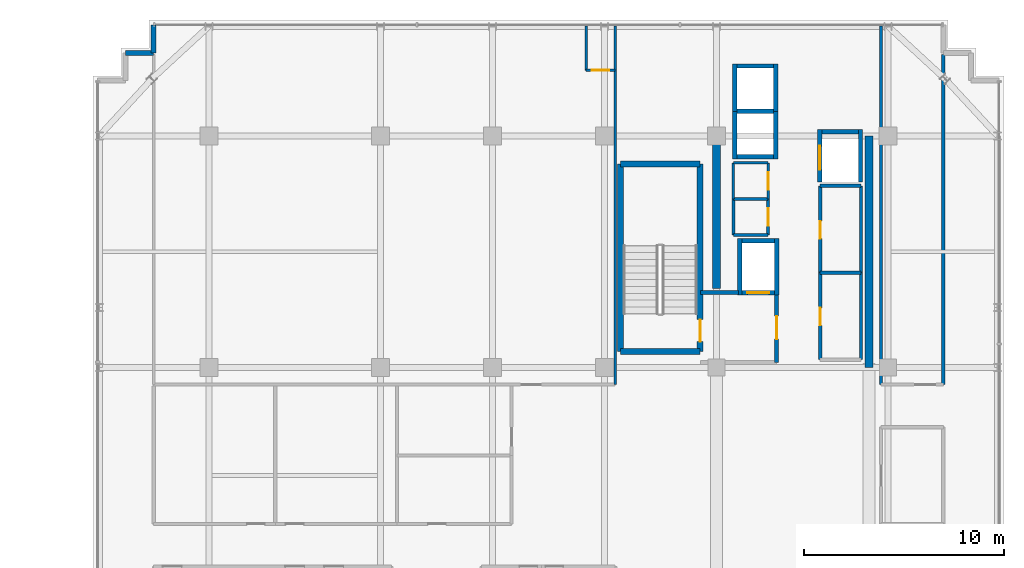
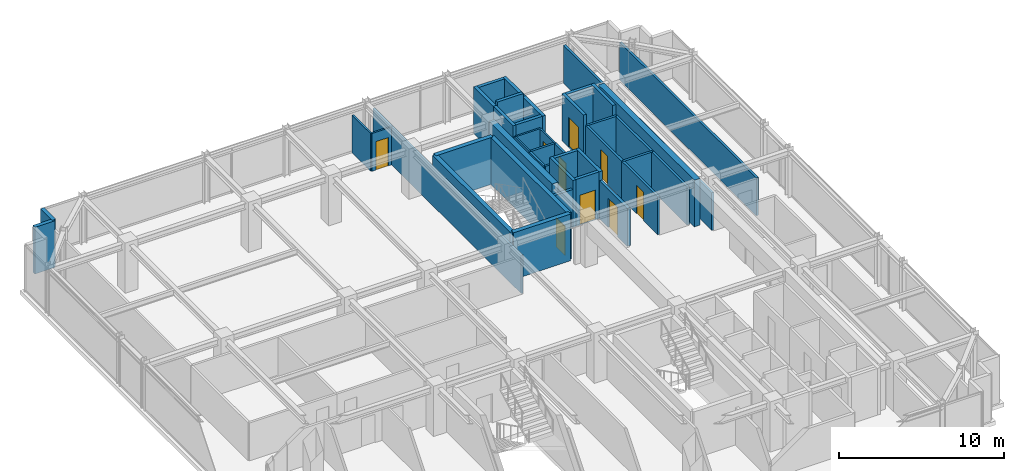
# One storey, part 27 of 31: 42 walls, 9 doors, 9 openings.
"""IFC4 building model written with IfcOpenShell, lengths in metres."""

import ifcopenshell
import ifcopenshell.guid

model = None  # the IFC model being written
_history = None  # IfcOwnerHistory: only IFC2X3 demands one
_inside = {}  # id of a spatial element -> (the spatial element, [elements in it])
_under = {}  # id of a project, library or spatial element -> (it, [spatial elements below it])
_declared = {}  # id of a project -> (the project, [libraries it declares])
_typed = {}  # id of a type object -> (the type object, [elements of that type])
_made_of = {}  # id of a material, layer set ... -> (it, [elements and type objects made of it])


def new_model(schema):
    """Start an empty IFC model of exactly this schema.

    Asked for "IFC4X3", IfcOpenShell would pick the latest addendum, in which some entities
    have other attributes; the version numbers below select the first issue.
    IFC2X3 requires an IfcOwnerHistory on every rooted entity: one is made here for all.
    """
    global model, _history
    if schema == "IFC4X3":
        model = ifcopenshell.file(schema_version=(4, 3, 0, 0))
    else:
        model = ifcopenshell.file(schema=schema)
    _inside.clear()
    _under.clear()
    _declared.clear()
    _typed.clear()
    _made_of.clear()
    _history = None
    if model.schema == "IFC2X3":
        org = make("IfcOrganization", Name="unknown")
        user = make(
            "IfcPersonAndOrganization",
            ThePerson=make("IfcPerson", FamilyName="unknown"),
            TheOrganization=org,
        )
        app = make(
            "IfcApplication",
            ApplicationDeveloper=org,
            Version="unknown",
            ApplicationFullName="unknown",
            ApplicationIdentifier="unknown",
        )
        _history = make(
            "IfcOwnerHistory",
            OwningUser=user,
            OwningApplication=app,
            ChangeAction="ADDED",
            CreationDate=0,
        )
    return model


def make(cls, **values):
    """One entity of the class cls with the attributes given. An attribute that is None is left unset."""
    return model.create_entity(
        cls, **{name: value for name, value in values.items() if value is not None}
    )


def rooted(cls, **values):
    """An entity with a GlobalId (a new one), such as an element, a storey or a relation."""
    return make(cls, GlobalId=ifcopenshell.guid.new(), OwnerHistory=_history, **values)


def si_unit(unit_type, name, prefix=None):
    """IfcSIUnit, for example si_unit("LENGTHUNIT", "METRE", prefix="MILLI")."""
    return make("IfcSIUnit", UnitType=unit_type, Prefix=prefix, Name=name)


def assignment(units):
    """IfcUnitAssignment: the units of a project."""
    return None if units is None else make("IfcUnitAssignment", Units=units)


def point(xyz):
    """IfcCartesianPoint."""
    return None if xyz is None else make("IfcCartesianPoint", Coordinates=xyz)


def direction(xyz):
    """IfcDirection."""
    return None if xyz is None else make("IfcDirection", DirectionRatios=xyz)


def frame(location, z_axis=None, x_axis=None):
    """IfcAxis2Placement3D, a coordinate frame: its origin and axes. An axis left out is left unset."""
    return make(
        "IfcAxis2Placement3D",
        Location=point(location),
        Axis=direction(z_axis),
        RefDirection=direction(x_axis),
    )


def frame_2d(location, x_axis=None):
    """IfcAxis2Placement2D, a coordinate frame in the plane: its origin and x axis."""
    return make(
        "IfcAxis2Placement2D", Location=point(location), RefDirection=direction(x_axis)
    )


def origin():
    """The frame at (0, 0, 0) with its axes left unset."""
    return frame((0.0, 0.0, 0.0))


def place(relative_to, where):
    """IfcLocalPlacement: puts the frame where relative to a parent placement (None: the world)."""
    return make(
        "IfcLocalPlacement", PlacementRelTo=relative_to, RelativePlacement=where
    )


def context(
    kind, dimensions, precision=None, world=None, true_north=None, identifier=None
):
    """IfcGeometricRepresentationContext, for example the 3D "Model" context."""
    return make(
        "IfcGeometricRepresentationContext",
        ContextIdentifier=identifier,
        ContextType=kind,
        CoordinateSpaceDimension=dimensions,
        Precision=precision,
        WorldCoordinateSystem=world,
        TrueNorth=true_north,
    )


def subcontext(parent, identifier, kind, view, scale=None):
    """IfcGeometricRepresentationSubContext, for example "Body" below "Model"."""
    return make(
        "IfcGeometricRepresentationSubContext",
        ContextIdentifier=identifier,
        ContextType=kind,
        ParentContext=parent,
        TargetScale=scale,
        TargetView=view,
    )


def project(units=None, contexts=None):
    """IfcProject with its units and contexts."""
    return rooted(
        "IfcProject",
        Name="project",
        RepresentationContexts=contexts,
        UnitsInContext=assignment(units),
    )


def spatial(cls, under=None, at=None, **own):
    """A site, building, storey or space (cls), placed at a placement, below another one or the project."""
    s = rooted(cls, ObjectPlacement=at, **own)
    if under is not None:
        _under.setdefault(under.id(), (under, []))[1].append(s)
    return s


def profile(cls, at=None, kind="AREA", **sizes):
    """A parametric profile (cls). Its sizes go by their IFC names, for example OverallWidth=200.0."""
    return make(cls, ProfileType=kind, Position=at, **sizes)


def rectangle(**sizes):
    """IfcRectangleProfileDef."""
    return profile("IfcRectangleProfileDef", **sizes)


def extrude(swept, where, along, depth):
    """IfcExtrudedAreaSolid: the profile swept, set in the frame where, extruded along a direction by depth."""
    return make(
        "IfcExtrudedAreaSolid",
        SweptArea=swept,
        Position=where,
        ExtrudedDirection=direction(along),
        Depth=depth,
    )


def shape(context_of_items, identifier, shape_type, items):
    """IfcShapeRepresentation: the items that make up one representation, for example the "Body"."""
    return make(
        "IfcShapeRepresentation",
        ContextOfItems=context_of_items,
        RepresentationIdentifier=identifier,
        RepresentationType=shape_type,
        Items=items,
    )


def source(mapping_origin, context_of_items, identifier, shape_type, items):
    """IfcRepresentationMap: a shape defined once, which mapped items show again and again."""
    return make(
        "IfcRepresentationMap",
        MappingOrigin=mapping_origin,
        MappedRepresentation=shape(context_of_items, identifier, shape_type, items),
    )


def transform(
    local_origin,
    x_axis=None,
    y_axis=None,
    z_axis=None,
    scale=None,
    scale2=None,
    scale3=None,
    uniform=True,
):
    """IfcCartesianTransformationOperator3D, or its non-uniform kind. x_axis, y_axis, z_axis: its Axis1, 2, 3."""
    if uniform:
        return make(
            "IfcCartesianTransformationOperator3D",
            Axis1=direction(x_axis),
            Axis2=direction(y_axis),
            LocalOrigin=point(local_origin),
            Scale=scale,
            Axis3=direction(z_axis),
        )
    return make(
        "IfcCartesianTransformationOperator3DnonUniform",
        Axis1=direction(x_axis),
        Axis2=direction(y_axis),
        LocalOrigin=point(local_origin),
        Scale=scale,
        Axis3=direction(z_axis),
        Scale2=scale2,
        Scale3=scale3,
    )


def mapped(mapping_source, mapping_target):
    """IfcMappedItem: shows the shape of a source again, moved by a transform."""
    return make(
        "IfcMappedItem", MappingSource=mapping_source, MappingTarget=mapping_target
    )


def material(Name=None, Category=None):
    """IfcMaterial."""
    return make("IfcMaterial", Name=Name, Category=Category)


def layer(
    of_material, thickness, ventilated=None, Name=None, Category=None, Priority=None
):
    """IfcMaterialLayer: one layer of a wall or slab, of a material (None: an air gap)."""
    return make(
        "IfcMaterialLayer",
        Material=of_material,
        LayerThickness=thickness,
        IsVentilated=ventilated,
        Name=Name,
        Category=Category,
        Priority=Priority,
    )


def layer_set(layers, Name=None):
    """IfcMaterialLayerSet."""
    return make("IfcMaterialLayerSet", MaterialLayers=layers, LayerSetName=Name)


def made_of(thing, what):
    """Note that an element or type object is made of a material, layer set ...; save() writes the relation."""
    if what is not None:
        _made_of.setdefault(what.id(), (what, []))[1].append(thing)
    return thing


def type_object(cls, material=None, **own):
    """A type object (cls), such as IfcWallType, which elements share."""
    return made_of(rooted(cls, **own), material)


def element(
    cls,
    number,
    at=None,
    inside=None,
    cuts=None,
    type_object=None,
    material=None,
    context=None,
    identifier="Body",
    shape_type=None,
    held_by="IfcProductDefinitionShape",
    body=None,
    shapes=None,
    **own,
):
    """One element of the class cls, such as IfcWall. Its Tag is "e" and its number.

    at: its placement. inside: the storey or other place that contains it. cuts: it is an
    opening in that element (IfcRelVoidsElement). A single representation is given by context,
    identifier, shape_type and body (its items); several are given by shapes. held_by: the class
    of the entity that holds the representations. save() writes the other relations.
    """
    e = rooted(cls, Tag="e%d" % number, ObjectPlacement=at, **own)
    if body is not None:
        shapes = [shape(context, identifier, shape_type, body)]
    if shapes is not None:
        e.Representation = make(held_by, Representations=shapes)
    if inside is not None:
        _inside.setdefault(inside.id(), (inside, []))[1].append(e)
    if cuts is not None:
        rooted(
            "IfcRelVoidsElement", RelatingBuildingElement=cuts, RelatedOpeningElement=e
        )
    if type_object is not None:
        _typed.setdefault(type_object.id(), (type_object, []))[1].append(e)
    return made_of(e, material)


def fill(opening, filler):
    """IfcRelFillsElement: the door or window that sits in an opening."""
    return rooted(
        "IfcRelFillsElement",
        RelatingOpeningElement=opening,
        RelatedBuildingElement=filler,
    )


def aggregate(whole, parts):
    """IfcRelAggregates: a whole, such as a stair, and the parts it consists of."""
    return rooted("IfcRelAggregates", RelatingObject=whole, RelatedObjects=parts)


def save(model, path):
    """Write the relations noted so far, then the file.

    IfcRelAggregates (storeys below a building ...), IfcRelContainedInSpatialStructure (elements
    in a storey), IfcRelDefinesByType, IfcRelAssociatesMaterial and IfcRelDeclares: one each for
    every whole, place, type object, material and project.
    """
    for whole, parts in _under.values():
        aggregate(whole, parts)
    for where, things in _inside.values():
        rooted(
            "IfcRelContainedInSpatialStructure",
            RelatedElements=things,
            RelatingStructure=where,
        )
    for kind, things in _typed.values():
        rooted("IfcRelDefinesByType", RelatedObjects=things, RelatingType=kind)
    for what, things in _made_of.values():
        rooted("IfcRelAssociatesMaterial", RelatedObjects=things, RelatingMaterial=what)
    for by, libraries in _declared.values():
        rooted("IfcRelDeclares", RelatingContext=by, RelatedDefinitions=libraries)
    model.write(path)


model = new_model("IFC4")

# Units and contexts
model_context = context("Model", 3, precision=1e-05, world=origin(), true_north=direction((0.0, 1.0)))
body_context = subcontext(model_context, "Body", "Model", "MODEL_VIEW")
ifc_project = project(units=[si_unit("LENGTHUNIT", "METRE"), si_unit("AREAUNIT", "SQUARE_METRE"), si_unit("VOLUMEUNIT", "CUBIC_METRE"), si_unit("PLANEANGLEUNIT", "RADIAN"), si_unit("MASSUNIT", "GRAM", prefix="KILO")], contexts=[model_context])

# Site, building, storey
site_placement = place(None, origin())
site = spatial("IfcSite", under=ifc_project, at=site_placement, CompositionType="ELEMENT")
building_placement = place(site_placement, origin())
building = spatial("IfcBuilding", under=site, at=building_placement, Name="Nahalor Promenade Grand Hotel", CompositionType="ELEMENT")
storey_placement = place(building_placement, frame((0.0, 0.0, 277.550048828125)))
storey = spatial("IfcBuildingStorey", under=building, at=storey_placement, Name="L71", CompositionType="ELEMENT", Elevation=277.550048828125)

# Walls
ifc_material_1 = material(Name="Concrete B-50 (C40/50)", Category="concrete")
ifc_layer_1 = layer(ifc_material_1, 0.39990234375)
ifc_layer_set_1 = layer_set([ifc_layer_1], Name="Concrete B-50 (C40/50)")
wall_type_1 = type_object("IfcWallType", Name="Wall-CoreShear-400", PredefinedType="SHEAR", material=ifc_layer_set_1)
shared_shape_1 = source(origin(), body_context, "Body", "SweptSolid", [
    extrude(rectangle(XDim=7.64990234375, YDim=0.39990234375, at=frame_2d((3.824951171875, 0.0))), origin(), (0.0, 0.0, 1.0), 3.449951171875),
])
wall_1_placement = place(storey_placement, frame((8.39990234375, 9.35009765625, 0.0), z_axis=(0.0, 0.0, 1.0), x_axis=(0.0, 1.0, 0.0)))
element("IfcWall", 1, at=wall_1_placement, inside=storey, type_object=wall_type_1, Name="CWALL-L71-NW", PredefinedType="SHEAR", context=body_context, shape_type="MappedRepresentation", body=[
    mapped(shared_shape_1, transform((0.0, 0.0, 0.0), scale=1.0)),
])
shared_shape_2 = source(origin(), body_context, "Body", "SweptSolid", [
    extrude(rectangle(XDim=11.60009765625, YDim=0.39990234375, at=frame_2d((5.800048828125, 0.0))), origin(), (0.0, 0.0, 1.0), 3.449951171875),
])
wall_2_placement = place(storey_placement, frame((16.050048828125, 5.39990234375, 0.0), z_axis=(0.0, 0.0, 1.0), x_axis=(0.0, 1.0, 0.0)))
element("IfcWall", 2, at=wall_2_placement, inside=storey, type_object=wall_type_1, Name="CWALL-L71-NE", PredefinedType="SHEAR", context=body_context, shape_type="MappedRepresentation", body=[
    mapped(shared_shape_2, transform((0.0, 0.0, 0.0), scale=1.0)),
])
ifc_layer_2 = layer(ifc_material_1, 0.300048828125)
ifc_layer_set_2 = layer_set([ifc_layer_2], Name="Concrete B-50 (C40/50)")
wall_type_2 = type_object("IfcWallType", Name="Wall-ShaftShear-300", PredefinedType="SHEAR", material=ifc_layer_set_2)
shared_shape_3 = source(origin(), body_context, "Body", "SweptSolid", [
    extrude(rectangle(XDim=3.97998046875, YDim=0.300048828125, at=frame_2d((1.989990234375, 0.0))), origin(), (0.0, 0.0, 1.0), 3.449951171875),
])
for number, where, z_axis, x_axis, name in (
    (3, (3.610107421875, 6.2099609375, 0.0), (0.0, 0.0, 1.0), (1.0, 0.0, 0.0), "L71 Exit Stair ST1 Shaft Wall S"),
    (4, (3.610107421875, 15.590087890625, 0.0), (0.0, 0.0, 1.0), (1.0, 0.0, 0.0), "L71 Exit Stair ST1 Shaft Wall N"),
):
    element("IfcWall", number, at=place(storey_placement, frame(where, z_axis=z_axis, x_axis=x_axis)), inside=storey, type_object=wall_type_2, Name=name, PredefinedType="SHEAR", context=body_context, shape_type="MappedRepresentation", body=[
        mapped(shared_shape_3, transform((0.0, 0.0, 0.0), scale=1.0)),
    ])
shared_shape_4 = source(origin(), body_context, "Body", "SweptSolid", [
    extrude(rectangle(XDim=9.380126953125, YDim=0.300048828125, at=frame_2d((4.68994140625, 0.0))), origin(), (0.0, 0.0, 1.0), 3.449951171875),
])
wall_3_placement = place(storey_placement, frame((3.610107421875, 6.2099609375, 0.0), z_axis=(0.0, 0.0, 1.0), x_axis=(0.0, 1.0, 0.0)))
element("IfcWall", 5, at=wall_3_placement, inside=storey, type_object=wall_type_2, Name="L71 Exit Stair ST1 Shaft Wall W", PredefinedType="SHEAR", context=body_context, shape_type="MappedRepresentation", body=[
    mapped(shared_shape_4, transform((0.0, 0.0, 0.0), scale=1.0)),
])

# Wall, opening, door
wall_4_placement = place(storey_placement, frame((7.590087890625, 6.2099609375, 0.0), z_axis=(0.0, 0.0, 1.0), x_axis=(0.0, 1.0, 0.0)))
wall_4 = element("IfcWall", 6, at=wall_4_placement, inside=storey, type_object=wall_type_2, Name="L71 Exit Stair ST1 Shaft Wall E", PredefinedType="SHEAR", context=body_context, shape_type="MappedRepresentation", body=[
    mapped(shared_shape_4, transform((0.0, 0.0, 0.0), scale=1.0)),
])
opening_1_placement = place(wall_4_placement, frame((0.489990234375, 0.0, 0.0)))
opening_1 = element("IfcOpeningElement", 7, at=opening_1_placement, cuts=wall_4, Name="Opening D-ST1", PredefinedType="OPENING", context=body_context, shape_type="SweptSolid", body=[
    extrude(rectangle(XDim=1.10009765625, YDim=2.14990234375, at=frame_2d((0.550048828125, 1.074951171875))), frame((0.0, 0.159912109375, 0.0), z_axis=(0.0, -1.0, 0.0), x_axis=(1.0, 0.0, 0.0)), (0.0, 0.0, 1.0), 0.320068359375),
])
ifc_material_2 = material(Name="Steel S355JR", Category="steel")
door_type_1 = type_object("IfcDoorType", Name="Door-StairFire-1100", OperationType="NOTDEFINED", PredefinedType="DOOR", material=ifc_material_2)
shared_shape_5 = source(origin(), body_context, "Body", "SweptSolid", [
    extrude(rectangle(XDim=1.10009765625, YDim=2.14990234375, at=frame_2d((0.550048828125, 1.074951171875))), frame((0.0, 0.02490234375, 0.0), z_axis=(0.0, -1.0, 0.0), x_axis=(1.0, 0.0, 0.0)), (0.0, 0.0, 1.0), 0.050048828125),
])
door_1_placement = place(opening_1_placement, origin())
door_1 = element("IfcDoor", 8, at=door_1_placement, inside=storey, type_object=door_type_1, Name="DR-STAIR-ST1-L71", OperationType="SINGLE_SWING_RIGHT", OverallHeight=2.14990234375, OverallWidth=1.10009765625, PredefinedType="DOOR", context=body_context, shape_type="MappedRepresentation", body=[
    mapped(shared_shape_5, transform((0.0, 0.0, 0.0), scale=1.0)),
])
fill(opening_1, door_1)

# Walls
ifc_layer_3 = layer(ifc_material_1, 0.219970703125)
ifc_layer_set_3 = layer_set([ifc_layer_3], Name="Concrete B-50 (C40/50)")
wall_type_3 = type_object("IfcWallType", Name="Wall-LiftShaft-220", PredefinedType="SHEAR", material=ifc_layer_set_3)
shared_shape_6 = source(origin(), body_context, "Body", "SweptSolid", [
    extrude(rectangle(XDim=1.820068359375, YDim=0.219970703125, at=frame_2d((0.91015625, 0.0))), origin(), (0.0, 0.0, 1.0), 3.449951171875),
])
for number, where, z_axis, x_axis, name in (
    (9, (9.43994140625, 15.949951171875, 0.0), (0.0, 0.0, 1.0), (1.0, 0.0, 0.0), "L71 Lift OB1 Hoistway Wall S"),
    (10, (9.43994140625, 20.5, 0.0), (0.0, 0.0, 1.0), (1.0, 0.0, 0.0), "L71 Lift OB2 Hoistway Wall N"),
    (11, (13.68994140625, 17.199951171875, 0.0), (0.0, 0.0, 1.0), (1.0, 0.0, 0.0), "L71 Lift SV1 Hoistway Wall N"),
):
    element("IfcWall", number, at=place(storey_placement, frame(where, z_axis=z_axis, x_axis=x_axis)), inside=storey, type_object=wall_type_3, Name=name, PredefinedType="SHEAR", context=body_context, shape_type="MappedRepresentation", body=[
        mapped(shared_shape_6, transform((0.0, 0.0, 0.0), scale=1.0)),
    ])
shared_shape_7 = source(origin(), body_context, "Body", "SweptSolid", [
    extrude(rectangle(XDim=1.820068359375, YDim=0.219970703125, at=frame_2d((0.91015625, 0.0))), origin(), (0.0, 0.0, 1.0), 3.75),
])
wall_5_placement = place(storey_placement, frame((9.43994140625, 18.22509765625, 0.0), z_axis=(0.0, 0.0, 1.0), x_axis=(1.0, 0.0, 0.0)))
element("IfcWall", 12, at=wall_5_placement, inside=storey, type_object=wall_type_3, Name="L71 Lift OB1 Hoistway Wall N", PredefinedType="SHEAR", context=body_context, shape_type="MappedRepresentation", body=[
    mapped(shared_shape_7, transform((0.0, 0.0, 0.0), scale=1.0)),
])
shared_shape_8 = source(origin(), body_context, "Body", "SweptSolid", [
    extrude(rectangle(XDim=2.385009765625, YDim=0.219970703125, at=frame_2d((1.1923828125, 0.0))), origin(), (0.0, 0.0, 1.0), 3.449951171875),
])
for number, where, z_axis, x_axis, name in (
    (13, (9.330078125, 15.840087890625, 0.0), (0.0, 0.0, 1.0), (0.0, 1.0, 0.0), "L71 Lift OB1 Hoistway Wall W"),
    (14, (11.3701171875, 15.840087890625, 0.0), (0.0, 0.0, 1.0), (0.0, 1.0, 0.0), "L71 Lift OB1 Hoistway Wall E"),
    (15, (9.330078125, 18.22509765625, 0.0), (0.0, 0.0, 1.0), (0.0, 1.0, 0.0), "L71 Lift OB2 Hoistway Wall W"),
    (16, (11.3701171875, 18.22509765625, 0.0), (0.0, 0.0, 1.0), (0.0, 1.0, 0.0), "L71 Lift OB2 Hoistway Wall E"),
):
    element("IfcWall", number, at=place(storey_placement, frame(where, z_axis=z_axis, x_axis=x_axis)), inside=storey, type_object=wall_type_3, Name=name, PredefinedType="SHEAR", context=body_context, shape_type="MappedRepresentation", body=[
        mapped(shared_shape_8, transform((0.0, 0.0, 0.0), scale=1.0)),
    ])
shared_shape_9 = source(origin(), body_context, "Body", "SweptSolid", [
    extrude(rectangle(XDim=2.820068359375, YDim=0.219970703125, at=frame_2d((1.41015625, 0.0))), origin(), (0.0, 0.0, 1.0), 3.449951171875),
])
for number, where, z_axis, x_axis, name in (
    (17, (9.580078125, 9.0400390625, 0.0), (0.0, 0.0, 1.0), (0.0, 1.0, 0.0), "L71 Lift FL1 Hoistway Wall W"),
    (18, (11.419921875, 9.0400390625, 0.0), (0.0, 0.0, 1.0), (0.0, 1.0, 0.0), "L71 Lift FL1 Hoistway Wall E"),
):
    element("IfcWall", number, at=place(storey_placement, frame(where, z_axis=z_axis, x_axis=x_axis)), inside=storey, type_object=wall_type_3, Name=name, PredefinedType="SHEAR", context=body_context, shape_type="MappedRepresentation", body=[
        mapped(shared_shape_9, transform((0.0, 0.0, 0.0), scale=1.0)),
    ])

# Wall, opening, door
shared_shape_10 = source(origin(), body_context, "Body", "SweptSolid", [
    extrude(rectangle(XDim=1.6201171875, YDim=0.219970703125, at=frame_2d((0.81005859375, 0.0))), origin(), (0.0, 0.0, 1.0), 3.449951171875),
])
wall_6_placement = place(storey_placement, frame((9.68994140625, 9.14990234375, 0.0), z_axis=(0.0, 0.0, 1.0), x_axis=(1.0, 0.0, 0.0)))
wall_6 = element("IfcWall", 19, at=wall_6_placement, inside=storey, type_object=wall_type_3, Name="L71 Lift FL1 Hoistway Wall S", PredefinedType="SHEAR", context=body_context, shape_type="MappedRepresentation", body=[
    mapped(shared_shape_10, transform((0.0, 0.0, 0.0), scale=1.0)),
])
opening_2_placement = place(wall_6_placement, frame((0.260009765625, 0.0, 0.0)))
opening_2 = element("IfcOpeningElement", 20, at=opening_2_placement, cuts=wall_6, Name="Opening LD-02", PredefinedType="OPENING", context=body_context, shape_type="SweptSolid", body=[
    extrude(rectangle(XDim=1.10009765625, YDim=2.199951171875, at=frame_2d((0.550048828125, 1.10009765625))), frame((0.0, 0.119873046875, 0.0), z_axis=(0.0, -1.0, 0.0), x_axis=(1.0, 0.0, 0.0)), (0.0, 0.0, 1.0), 0.239990234375),
])
door_type_2 = type_object("IfcDoorType", Name="Door-LiftFF-1100", OperationType="DOUBLE_DOOR_SLIDING", PredefinedType="DOOR", material=ifc_material_2)
shared_shape_11 = source(origin(), body_context, "Body", "SweptSolid", [
    extrude(rectangle(XDim=1.10009765625, YDim=2.199951171875, at=frame_2d((0.550048828125, 1.10009765625))), frame((0.0, 0.02490234375, 0.0), z_axis=(0.0, -1.0, 0.0), x_axis=(1.0, 0.0, 0.0)), (0.0, 0.0, 1.0), 0.050048828125),
])
door_2_placement = place(opening_2_placement, frame((1.10009765625, 0.0, 0.0), z_axis=(0.0, 0.0, 1.0), x_axis=(-1.0, 0.0, 0.0)))
door_2 = element("IfcDoor", 21, at=door_2_placement, inside=storey, type_object=door_type_2, Name="DR-LIFT-FL1-L71", OperationType="DOUBLE_DOOR_SLIDING", OverallHeight=2.199951171875, OverallWidth=1.10009765625, PredefinedType="DOOR", context=body_context, shape_type="MappedRepresentation", body=[
    mapped(shared_shape_11, transform((0.0, 0.0, 0.0), scale=1.0)),
])
fill(opening_2, door_2)

# Wall
wall_7_placement = place(storey_placement, frame((9.68994140625, 11.75, 0.0), z_axis=(0.0, 0.0, 1.0), x_axis=(1.0, 0.0, 0.0)))
element("IfcWall", 22, at=wall_7_placement, inside=storey, type_object=wall_type_3, Name="L71 Lift FL1 Hoistway Wall N", PredefinedType="SHEAR", context=body_context, shape_type="MappedRepresentation", body=[
    mapped(shared_shape_10, transform((0.0, 0.0, 0.0), scale=1.0)),
])

# Wall, opening, door
shared_shape_12 = source(origin(), body_context, "Body", "SweptSolid", [
    extrude(rectangle(XDim=2.610107421875, YDim=0.219970703125, at=frame_2d((1.30517578125, 0.0))), origin(), (0.0, 0.0, 1.0), 3.449951171875),
])
wall_8_placement = place(storey_placement, frame((13.580078125, 14.699951171875, 0.0), z_axis=(0.0, 0.0, 1.0), x_axis=(0.0, 1.0, 0.0)))
wall_8 = element("IfcWall", 23, at=wall_8_placement, inside=storey, type_object=wall_type_3, Name="L71 Lift SV1 Hoistway Wall W", PredefinedType="SHEAR", context=body_context, shape_type="MappedRepresentation", body=[
    mapped(shared_shape_12, transform((0.0, 0.0, 0.0), scale=1.0)),
])
opening_3_placement = place(wall_8_placement, frame((0.60009765625, 0.0, 0.0)))
opening_3 = element("IfcOpeningElement", 24, at=opening_3_placement, cuts=wall_8, Name="Opening LD-03", PredefinedType="OPENING", context=body_context, shape_type="SweptSolid", body=[
    extrude(rectangle(XDim=1.199951171875, YDim=2.199951171875, at=frame_2d((0.60009765625, 1.10009765625))), frame((0.0, 0.119873046875, 0.0), z_axis=(0.0, -1.0, 0.0), x_axis=(1.0, 0.0, 0.0)), (0.0, 0.0, 1.0), 0.239990234375),
])
door_type_3 = type_object("IfcDoorType", Name="Door-LiftService-1200", OperationType="DOUBLE_DOOR_SLIDING", PredefinedType="DOOR", material=ifc_material_2)
shared_shape_13 = source(origin(), body_context, "Body", "SweptSolid", [
    extrude(rectangle(XDim=1.199951171875, YDim=2.199951171875, at=frame_2d((0.60009765625, 1.10009765625))), frame((0.0, 0.02490234375, 0.0), z_axis=(0.0, -1.0, 0.0), x_axis=(1.0, 0.0, 0.0)), (0.0, 0.0, 1.0), 0.050048828125),
])
door_3_placement = place(opening_3_placement, origin())
door_3 = element("IfcDoor", 25, at=door_3_placement, inside=storey, type_object=door_type_3, Name="DR-LIFT-SV1-L71", OperationType="DOUBLE_DOOR_SLIDING", OverallHeight=2.199951171875, OverallWidth=1.199951171875, PredefinedType="DOOR", context=body_context, shape_type="MappedRepresentation", body=[
    mapped(shared_shape_13, transform((0.0, 0.0, 0.0), scale=1.0)),
])
fill(opening_3, door_3)

# Walls
wall_9_placement = place(storey_placement, frame((15.6201171875, 14.699951171875, 0.0), z_axis=(0.0, 0.0, 1.0), x_axis=(0.0, 1.0, 0.0)))
element("IfcWall", 26, at=wall_9_placement, inside=storey, type_object=wall_type_3, Name="L71 Lift SV1 Hoistway Wall E", PredefinedType="SHEAR", context=body_context, shape_type="MappedRepresentation", body=[
    mapped(shared_shape_12, transform((0.0, 0.0, 0.0), scale=1.0)),
])
ifc_material_3 = material(Name="Concrete B-40 (C32/40)", Category="concrete")
ifc_layer_4 = layer(ifc_material_3, 0.25)
ifc_layer_set_4 = layer_set([ifc_layer_4], Name="Concrete B-40 (C32/40)")
wall_type_4 = type_object("IfcWallType", Name="Wall-BronzePier-250", PredefinedType="STANDARD", material=ifc_layer_set_4)
shared_shape_14 = source(origin(), body_context, "Body", "SweptSolid", [
    extrude(rectangle(XDim=1.400146484375, YDim=0.25, at=frame_2d((0.7001953125, 0.0))), origin(), (0.0, 0.0, 1.0), 3.449951171875),
])
wall_10_placement = place(storey_placement, frame((-19.760009765625, 21.159912109375, 0.0), z_axis=(0.0, 0.0, 1.0), x_axis=(0.0, 1.0, 0.0)))
element("IfcWall", 27, at=wall_10_placement, inside=storey, type_object=wall_type_4, Name="W-L71-SR-09", PredefinedType="STANDARD", context=body_context, shape_type="MappedRepresentation", body=[
    mapped(shared_shape_14, transform((0.0, 0.0, 0.0), scale=1.0)),
])
shared_shape_15 = source(origin(), body_context, "Body", "SweptSolid", [
    extrude(rectangle(XDim=1.39990234375, YDim=0.25, at=frame_2d((0.699951171875, 0.0))), origin(), (0.0, 0.0, 1.0), 3.449951171875),
])
wall_11_placement = place(storey_placement, frame((-21.159912109375, 21.159912109375, 0.0), z_axis=(0.0, 0.0, 1.0), x_axis=(1.0, 0.0, 0.0)))
element("IfcWall", 28, at=wall_11_placement, inside=storey, type_object=wall_type_4, Name="W-L71-SR-10", PredefinedType="STANDARD", context=body_context, shape_type="MappedRepresentation", body=[
    mapped(shared_shape_15, transform((0.0, 0.0, 0.0), scale=1.0)),
])
ifc_layer_5 = layer(ifc_material_3, 0.199951171875)
ifc_layer_set_5 = layer_set([ifc_layer_5], Name="Concrete B-40 (C32/40)")
wall_type_5 = type_object("IfcWallType", Name="Wall-PartFire-200", PredefinedType="PARTITIONING", material=ifc_layer_set_5)
shared_shape_16 = source(origin(), body_context, "Body", "SweptSolid", [
    extrude(rectangle(XDim=1.89990234375, YDim=0.199951171875, at=frame_2d((0.949951171875, 0.0))), origin(), (0.0, 0.0, 1.0), 2.7900390625),
])
wall_12_placement = place(storey_placement, frame((7.60009765625, 9.14990234375, 0.0), z_axis=(0.0, 0.0, 1.0), x_axis=(1.0, 0.0, 0.0)))
element("IfcWall", 29, at=wall_12_placement, inside=storey, type_object=wall_type_5, Name="W-L71-FF1-N", PredefinedType="PARTITIONING", context=body_context, shape_type="MappedRepresentation", body=[
    mapped(shared_shape_16, transform((0.0, 0.0, 0.0), scale=1.0)),
])

# Wall, opening, door
shared_shape_17 = source(origin(), body_context, "Body", "SweptSolid", [
    extrude(rectangle(XDim=3.5, YDim=0.199951171875, at=frame_2d((1.75, 0.0))), origin(), (0.0, 0.0, 1.0), 2.7900390625),
])
wall_13_placement = place(storey_placement, frame((11.419921875, 5.64990234375, 0.0), z_axis=(0.0, 0.0, 1.0), x_axis=(0.0, 1.0, 0.0)))
wall_13 = element("IfcWall", 30, at=wall_13_placement, inside=storey, type_object=wall_type_5, Name="W-L71-FF1-E", PredefinedType="PARTITIONING", context=body_context, shape_type="MappedRepresentation", body=[
    mapped(shared_shape_17, transform((0.0, 0.0, 0.0), scale=1.0)),
])
opening_4_placement = place(wall_13_placement, frame((1.175048828125, 0.0, 0.0)))
opening_4 = element("IfcOpeningElement", 31, at=opening_4_placement, cuts=wall_13, Name="Opening D-FF1", PredefinedType="OPENING", context=body_context, shape_type="SweptSolid", body=[
    extrude(rectangle(XDim=1.14990234375, YDim=2.14990234375, at=frame_2d((0.574951171875, 1.074951171875))), frame((0.0, 0.10986328125, 0.0), z_axis=(0.0, -1.0, 0.0), x_axis=(1.0, 0.0, 0.0)), (0.0, 0.0, 1.0), 0.219970703125),
])
door_type_4 = type_object("IfcDoorType", Name="Door-FFLobby-1150", OperationType="NOTDEFINED", PredefinedType="DOOR", material=ifc_material_2)
shared_shape_18 = source(origin(), body_context, "Body", "SweptSolid", [
    extrude(rectangle(XDim=1.14990234375, YDim=2.14990234375, at=frame_2d((0.574951171875, 1.074951171875))), frame((0.0, 0.02490234375, 0.0), z_axis=(0.0, -1.0, 0.0), x_axis=(1.0, 0.0, 0.0)), (0.0, 0.0, 1.0), 0.050048828125),
])
door_4_placement = place(opening_4_placement, frame((1.14990234375, 0.0, 0.0), z_axis=(0.0, 0.0, 1.0), x_axis=(-1.0, 0.0, 0.0)))
door_4 = element("IfcDoor", 32, at=door_4_placement, inside=storey, type_object=door_type_4, Name="DR-L71-FFL1", OperationType="SINGLE_SWING_LEFT", OverallHeight=2.14990234375, OverallWidth=1.14990234375, PredefinedType="DOOR", context=body_context, shape_type="MappedRepresentation", body=[
    mapped(shared_shape_18, transform((0.0, 0.0, 0.0), scale=1.0)),
])
fill(opening_4, door_4)

# Walls
ifc_material_4 = material(Name="Acoustic Mineral Gypsum", Category="gypsum")
ifc_layer_6 = layer(ifc_material_4, 0.14990234375)
ifc_layer_set_6 = layer_set([ifc_layer_6], Name="Acoustic Mineral Gypsum")
wall_type_6 = type_object("IfcWallType", Name="Wall-PartService-150", PredefinedType="PARTITIONING", material=ifc_layer_set_6)
shared_shape_19 = source(origin(), body_context, "Body", "SweptSolid", [
    extrude(rectangle(XDim=1.75, YDim=0.14990234375, at=frame_2d((0.875, 0.0))), origin(), (0.0, 0.0, 1.0), 2.7900390625),
])
for number, where, z_axis, x_axis, name in (
    (33, (9.25, 12.050048828125, 0.0), (0.0, 0.0, 1.0), (1.0, 0.0, 0.0), "W-L71-CK2A-S"),
    (34, (9.25, 13.85009765625, 0.0), (0.0, 0.0, 1.0), (1.0, 0.0, 0.0), "W-L71-CK2A-N"),
):
    element("IfcWall", number, at=place(storey_placement, frame(where, z_axis=z_axis, x_axis=x_axis)), inside=storey, type_object=wall_type_6, Name=name, PredefinedType="PARTITIONING", context=body_context, shape_type="MappedRepresentation", body=[
        mapped(shared_shape_19, transform((0.0, 0.0, 0.0), scale=1.0)),
    ])
shared_shape_20 = source(origin(), body_context, "Body", "SweptSolid", [
    extrude(rectangle(XDim=1.800048828125, YDim=0.14990234375, at=frame_2d((0.89990234375, 0.0))), origin(), (0.0, 0.0, 1.0), 2.7900390625),
])
wall_14_placement = place(storey_placement, frame((9.25, 12.050048828125, 0.0), z_axis=(0.0, 0.0, 1.0), x_axis=(0.0, 1.0, 0.0)))
element("IfcWall", 35, at=wall_14_placement, inside=storey, type_object=wall_type_6, Name="W-L71-CK2A-W", PredefinedType="PARTITIONING", context=body_context, shape_type="MappedRepresentation", body=[
    mapped(shared_shape_20, transform((0.0, 0.0, 0.0), scale=1.0)),
])

# Wall, opening, door
wall_15_placement = place(storey_placement, frame((11.0, 12.050048828125, 0.0), z_axis=(0.0, 0.0, 1.0), x_axis=(0.0, 1.0, 0.0)))
wall_15 = element("IfcWall", 36, at=wall_15_placement, inside=storey, type_object=wall_type_6, Name="W-L71-CK2A-E", PredefinedType="PARTITIONING", context=body_context, shape_type="MappedRepresentation", body=[
    mapped(shared_shape_20, transform((0.0, 0.0, 0.0), scale=1.0)),
])
opening_5_placement = place(wall_15_placement, frame((0.4599609375, 0.0, 0.0)))
opening_5 = element("IfcOpeningElement", 37, at=opening_5_placement, cuts=wall_15, Name="Opening D-03", PredefinedType="OPENING", context=body_context, shape_type="SweptSolid", body=[
    extrude(rectangle(XDim=0.8798828125, YDim=2.10009765625, at=frame_2d((0.43994140625, 1.050048828125))), frame((0.0, 0.0849609375, 0.0), z_axis=(0.0, -1.0, 0.0), x_axis=(1.0, 0.0, 0.0)), (0.0, 0.0, 1.0), 0.169921875),
])
ifc_material_5 = material(Name="Fire-Rated Timber Composite", Category="wood")
door_type_5 = type_object("IfcDoorType", Name="Door-BathSwing-880", OperationType="NOTDEFINED", PredefinedType="DOOR", material=ifc_material_5)
shared_shape_21 = source(origin(), body_context, "Body", "SweptSolid", [
    extrude(rectangle(XDim=0.8798828125, YDim=2.10009765625, at=frame_2d((0.43994140625, 1.050048828125))), frame((0.0, 0.02490234375, 0.0), z_axis=(0.0, -1.0, 0.0), x_axis=(1.0, 0.0, 0.0)), (0.0, 0.0, 1.0), 0.050048828125),
])
door_5_placement = place(opening_5_placement, origin())
door_5 = element("IfcDoor", 38, at=door_5_placement, inside=storey, type_object=door_type_5, Name="DR-L71-CK2A", OperationType="SINGLE_SWING_LEFT", OverallHeight=2.10009765625, OverallWidth=0.8798828125, PredefinedType="DOOR", context=body_context, shape_type="MappedRepresentation", body=[
    mapped(shared_shape_21, transform((0.0, 0.0, 0.0), scale=1.0)),
])
fill(opening_5, door_5)

# Walls
ifc_layer_7 = layer(ifc_material_4, 0.1201171875)
ifc_layer_set_7 = layer_set([ifc_layer_7], Name="Acoustic Mineral Gypsum")
wall_type_7 = type_object("IfcWallType", Name="Wall-PartBath-120", PredefinedType="PARTITIONING", material=ifc_layer_set_7)
shared_shape_22 = source(origin(), body_context, "Body", "SweptSolid", [
    extrude(rectangle(XDim=1.75, YDim=0.1201171875, at=frame_2d((0.875, 0.0))), origin(), (0.0, 0.0, 1.0), 2.7900390625),
])
wall_16_placement = place(storey_placement, frame((9.25, 15.64990234375, 0.0), z_axis=(0.0, 0.0, 1.0), x_axis=(1.0, 0.0, 0.0)))
element("IfcWall", 39, at=wall_16_placement, inside=storey, type_object=wall_type_7, Name="W-L71-CK2B-N", PredefinedType="PARTITIONING", context=body_context, shape_type="MappedRepresentation", body=[
    mapped(shared_shape_22, transform((0.0, 0.0, 0.0), scale=1.0)),
])
shared_shape_23 = source(origin(), body_context, "Body", "SweptSolid", [
    extrude(rectangle(XDim=1.7998046875, YDim=0.1201171875, at=frame_2d((0.89990234375, 0.0))), origin(), (0.0, 0.0, 1.0), 2.7900390625),
])
wall_17_placement = place(storey_placement, frame((9.25, 13.85009765625, 0.0), z_axis=(0.0, 0.0, 1.0), x_axis=(0.0, 1.0, 0.0)))
element("IfcWall", 40, at=wall_17_placement, inside=storey, type_object=wall_type_7, Name="W-L71-CK2B-W", PredefinedType="PARTITIONING", context=body_context, shape_type="MappedRepresentation", body=[
    mapped(shared_shape_23, transform((0.0, 0.0, 0.0), scale=1.0)),
])

# Wall, opening, door
wall_18_placement = place(storey_placement, frame((11.0, 13.85009765625, 0.0), z_axis=(0.0, 0.0, 1.0), x_axis=(0.0, 1.0, 0.0)))
wall_18 = element("IfcWall", 41, at=wall_18_placement, inside=storey, type_object=wall_type_7, Name="W-L71-CK2B-E", PredefinedType="PARTITIONING", context=body_context, shape_type="MappedRepresentation", body=[
    mapped(shared_shape_23, transform((0.0, 0.0, 0.0), scale=1.0)),
])
opening_6_placement = place(wall_18_placement, frame((0.4599609375, 0.0, 0.0)))
opening_6 = element("IfcOpeningElement", 42, at=opening_6_placement, cuts=wall_18, Name="Opening D-03", PredefinedType="OPENING", context=body_context, shape_type="SweptSolid", body=[
    extrude(rectangle(XDim=0.8798828125, YDim=2.10009765625, at=frame_2d((0.43994140625, 1.050048828125))), frame((0.0, 0.070068359375, 0.0), z_axis=(0.0, -1.0, 0.0), x_axis=(1.0, 0.0, 0.0)), (0.0, 0.0, 1.0), 0.14013671875),
])
door_6_placement = place(opening_6_placement, origin())
door_6 = element("IfcDoor", 43, at=door_6_placement, inside=storey, type_object=door_type_5, Name="DR-L71-CK2B", OperationType="SINGLE_SWING_RIGHT", OverallHeight=2.10009765625, OverallWidth=0.8798828125, PredefinedType="DOOR", context=body_context, shape_type="MappedRepresentation", body=[
    mapped(shared_shape_21, transform((0.0, 0.0, 0.0), scale=1.0)),
])
fill(opening_6, door_6)

# Walls
ifc_layer_8 = layer(ifc_material_4, 0.159912109375)
ifc_layer_set_8 = layer_set([ifc_layer_8], Name="Acoustic Mineral Gypsum")
wall_type_8 = type_object("IfcWallType", Name="Wall-PartCorridor-160", PredefinedType="PARTITIONING", material=ifc_layer_set_8)
shared_shape_24 = source(origin(), body_context, "Body", "SweptSolid", [
    extrude(rectangle(XDim=2.0498046875, YDim=0.159912109375, at=frame_2d((1.02490234375, 0.0))), origin(), (0.0, 0.0, 1.0), 2.7900390625),
])
for number, where, z_axis, x_axis, name in (
    (44, (13.60009765625, 10.14990234375, 0.0), (0.0, 0.0, 1.0), (1.0, 0.0, 0.0), "W-L71-FRB1A-N"),
    (45, (13.60009765625, 14.5, 0.0), (0.0, 0.0, 1.0), (1.0, 0.0, 0.0), "W-L71-FRB1B-N"),
):
    element("IfcWall", number, at=place(storey_placement, frame(where, z_axis=z_axis, x_axis=x_axis)), inside=storey, type_object=wall_type_8, Name=name, PredefinedType="PARTITIONING", context=body_context, shape_type="MappedRepresentation", body=[
        mapped(shared_shape_24, transform((0.0, 0.0, 0.0), scale=1.0)),
    ])

# Wall, opening, door
shared_shape_25 = source(origin(), body_context, "Body", "SweptSolid", [
    extrude(rectangle(XDim=4.349853515625, YDim=0.159912109375, at=frame_2d((2.1748046875, 0.0))), origin(), (0.0, 0.0, 1.0), 2.7900390625),
])
wall_19_placement = place(storey_placement, frame((13.60009765625, 5.800048828125, 0.0), z_axis=(0.0, 0.0, 1.0), x_axis=(0.0, 1.0, 0.0)))
wall_19 = element("IfcWall", 46, at=wall_19_placement, inside=storey, type_object=wall_type_8, Name="W-L71-FRB1A-W", PredefinedType="PARTITIONING", context=body_context, shape_type="MappedRepresentation", body=[
    mapped(shared_shape_25, transform((0.0, 0.0, 0.0), scale=1.0)),
])
opening_7_placement = place(wall_19_placement, frame((1.7099609375, 0.0, 0.0)))
opening_7 = element("IfcOpeningElement", 47, at=opening_7_placement, cuts=wall_19, Name="Opening D-03", PredefinedType="OPENING", context=body_context, shape_type="SweptSolid", body=[
    extrude(rectangle(XDim=0.8798828125, YDim=2.10009765625, at=frame_2d((0.43994140625, 1.050048828125))), frame((0.0, 0.08984375, 0.0), z_axis=(0.0, -1.0, 0.0), x_axis=(1.0, 0.0, 0.0)), (0.0, 0.0, 1.0), 0.179931640625),
])
door_7_placement = place(opening_7_placement, frame((0.8798828125, 0.0, 0.0), z_axis=(0.0, 0.0, 1.0), x_axis=(-1.0, 0.0, 0.0)))
door_7 = element("IfcDoor", 48, at=door_7_placement, inside=storey, type_object=door_type_5, Name="DR-L71-FRB1A", OperationType="SINGLE_SWING_LEFT", OverallHeight=2.10009765625, OverallWidth=0.8798828125, PredefinedType="DOOR", context=body_context, shape_type="MappedRepresentation", body=[
    mapped(shared_shape_21, transform((0.0, 0.0, 0.0), scale=1.0)),
])
fill(opening_7, door_7)

# Wall
wall_20_placement = place(storey_placement, frame((15.64990234375, 5.800048828125, 0.0), z_axis=(0.0, 0.0, 1.0), x_axis=(0.0, 1.0, 0.0)))
element("IfcWall", 49, at=wall_20_placement, inside=storey, type_object=wall_type_8, Name="W-L71-FRB1A-E", PredefinedType="PARTITIONING", context=body_context, shape_type="MappedRepresentation", body=[
    mapped(shared_shape_25, transform((0.0, 0.0, 0.0), scale=1.0)),
])

# Wall, opening, door
shared_shape_26 = source(origin(), body_context, "Body", "SweptSolid", [
    extrude(rectangle(XDim=4.35009765625, YDim=0.159912109375, at=frame_2d((2.175048828125, 0.0))), origin(), (0.0, 0.0, 1.0), 2.7900390625),
])
wall_21_placement = place(storey_placement, frame((13.60009765625, 10.14990234375, 0.0), z_axis=(0.0, 0.0, 1.0), x_axis=(0.0, 1.0, 0.0)))
wall_21 = element("IfcWall", 50, at=wall_21_placement, inside=storey, type_object=wall_type_8, Name="W-L71-FRB1B-W", PredefinedType="PARTITIONING", context=body_context, shape_type="MappedRepresentation", body=[
    mapped(shared_shape_26, transform((0.0, 0.0, 0.0), scale=1.0)),
])
opening_8_placement = place(wall_21_placement, frame((1.7099609375, 0.0, 0.0)))
opening_8 = element("IfcOpeningElement", 51, at=opening_8_placement, cuts=wall_21, Name="Opening D-03", PredefinedType="OPENING", context=body_context, shape_type="SweptSolid", body=[
    extrude(rectangle(XDim=0.8798828125, YDim=2.10009765625, at=frame_2d((0.43994140625, 1.050048828125))), frame((0.0, 0.08984375, 0.0), z_axis=(0.0, -1.0, 0.0), x_axis=(1.0, 0.0, 0.0)), (0.0, 0.0, 1.0), 0.179931640625),
])
door_8_placement = place(opening_8_placement, frame((0.8798828125, 0.0, 0.0), z_axis=(0.0, 0.0, 1.0), x_axis=(-1.0, 0.0, 0.0)))
door_8 = element("IfcDoor", 52, at=door_8_placement, inside=storey, type_object=door_type_5, Name="DR-L71-FRB1B", OperationType="SINGLE_SWING_RIGHT", OverallHeight=2.10009765625, OverallWidth=0.8798828125, PredefinedType="DOOR", context=body_context, shape_type="MappedRepresentation", body=[
    mapped(shared_shape_21, transform((0.0, 0.0, 0.0), scale=1.0)),
])
fill(opening_8, door_8)

# Walls
wall_22_placement = place(storey_placement, frame((15.64990234375, 10.14990234375, 0.0), z_axis=(0.0, 0.0, 1.0), x_axis=(0.0, 1.0, 0.0)))
element("IfcWall", 53, at=wall_22_placement, inside=storey, type_object=wall_type_8, Name="W-L71-FRB1B-E", PredefinedType="PARTITIONING", context=body_context, shape_type="MappedRepresentation", body=[
    mapped(shared_shape_26, transform((0.0, 0.0, 0.0), scale=1.0)),
])
shared_shape_27 = source(origin(), body_context, "Body", "SweptSolid", [
    extrude(rectangle(XDim=17.949951171875, YDim=0.159912109375, at=frame_2d((8.97509765625, 0.0))), origin(), (0.0, 0.0, 1.0), 2.7900390625),
])
wall_23_placement = place(storey_placement, frame((16.64990234375, 4.550048828125, 0.0), z_axis=(0.0, 0.0, 1.0), x_axis=(0.0, 1.0, 0.0)))
element("IfcWall", 54, at=wall_23_placement, inside=storey, type_object=wall_type_8, Name="W-L71-ENE-W", PredefinedType="PARTITIONING", context=body_context, shape_type="MappedRepresentation", body=[
    mapped(shared_shape_27, transform((0.0, 0.0, 0.0), scale=1.0)),
])
shared_shape_28 = source(origin(), body_context, "Body", "SweptSolid", [
    extrude(rectangle(XDim=16.530029296875, YDim=0.159912109375, at=frame_2d((8.26513671875, 0.0))), origin(), (0.0, 0.0, 1.0), 2.7900390625),
])
wall_24_placement = place(storey_placement, frame((19.760009765625, 4.550048828125, 0.0), z_axis=(0.0, 0.0, 1.0), x_axis=(0.0, 1.0, 0.0)))
element("IfcWall", 55, at=wall_24_placement, inside=storey, type_object=wall_type_8, Name="W-L71-ENE-E", PredefinedType="PARTITIONING", context=body_context, shape_type="MappedRepresentation", body=[
    mapped(shared_shape_28, transform((0.0, 0.0, 0.0), scale=1.0)),
])
ifc_layer_9 = layer(ifc_material_4, 0.139892578125)
ifc_layer_set_9 = layer_set([ifc_layer_9], Name="Acoustic Mineral Gypsum")
wall_type_9 = type_object("IfcWallType", Name="Wall-PartSuite-140", PredefinedType="PARTITIONING", material=ifc_layer_set_9)
shared_shape_29 = source(origin(), body_context, "Body", "SweptSolid", [
    extrude(rectangle(XDim=17.949951171875, YDim=0.139892578125, at=frame_2d((8.97509765625, 0.0))), origin(), (0.0, 0.0, 1.0), 2.7900390625),
])
wall_25_placement = place(storey_placement, frame((3.340087890625, 4.550048828125, 0.0), z_axis=(0.0, 0.0, 1.0), x_axis=(0.0, 1.0, 0.0)))
element("IfcWall", 56, at=wall_25_placement, inside=storey, type_object=wall_type_9, Name="W-L71-NW-ENDE", PredefinedType="PARTITIONING", context=body_context, shape_type="MappedRepresentation", body=[
    mapped(shared_shape_29, transform((0.0, 0.0, 0.0), scale=1.0)),
])
shared_shape_30 = source(origin(), body_context, "Body", "SweptSolid", [
    extrude(rectangle(XDim=2.219970703125, YDim=0.1201171875, at=frame_2d((1.10986328125, 0.0))), origin(), (0.0, 0.0, 1.0), 2.7900390625),
])
wall_26_placement = place(storey_placement, frame((1.889892578125, 20.280029296875, 0.0), z_axis=(0.0, 0.0, 1.0), x_axis=(0.0, 1.0, 0.0)))
element("IfcWall", 57, at=wall_26_placement, inside=storey, type_object=wall_type_7, Name="W-L71-N1-BV", PredefinedType="PARTITIONING", context=body_context, shape_type="MappedRepresentation", body=[
    mapped(shared_shape_30, transform((0.0, 0.0, 0.0), scale=1.0)),
])

# Wall, opening, door
shared_shape_31 = source(origin(), body_context, "Body", "SweptSolid", [
    extrude(rectangle(XDim=1.4501953125, YDim=0.1201171875, at=frame_2d((0.72509765625, 0.0))), origin(), (0.0, 0.0, 1.0), 2.7900390625),
])
wall_27_placement = place(storey_placement, frame((1.889892578125, 20.280029296875, 0.0), z_axis=(0.0, 0.0, 1.0), x_axis=(1.0, 0.0, 0.0)))
wall_27 = element("IfcWall", 58, at=wall_27_placement, inside=storey, type_object=wall_type_7, Name="W-L71-N1-BH", PredefinedType="PARTITIONING", context=body_context, shape_type="MappedRepresentation", body=[
    mapped(shared_shape_31, transform((0.0, 0.0, 0.0), scale=1.0)),
])
opening_9_placement = place(wall_27_placement, frame((0.284912109375, 0.0, 0.0)))
opening_9 = element("IfcOpeningElement", 59, at=opening_9_placement, cuts=wall_27, Name="Opening D-03", PredefinedType="OPENING", context=body_context, shape_type="SweptSolid", body=[
    extrude(rectangle(XDim=0.8798828125, YDim=2.10009765625, at=frame_2d((0.43994140625, 1.050048828125))), frame((0.0, 0.070068359375, 0.0), z_axis=(0.0, -1.0, 0.0), x_axis=(1.0, 0.0, 0.0)), (0.0, 0.0, 1.0), 0.14013671875),
])
door_9_placement = place(opening_9_placement, origin())
door_9 = element("IfcDoor", 60, at=door_9_placement, inside=storey, type_object=door_type_5, Name="DR-L71-N1-BATH", OperationType="SINGLE_SWING_LEFT", OverallHeight=2.10009765625, OverallWidth=0.8798828125, PredefinedType="DOOR", context=body_context, shape_type="MappedRepresentation", body=[
    mapped(shared_shape_21, transform((0.0, 0.0, 0.0), scale=1.0)),
])
fill(opening_9, door_9)

save(model, "model.ifc")
